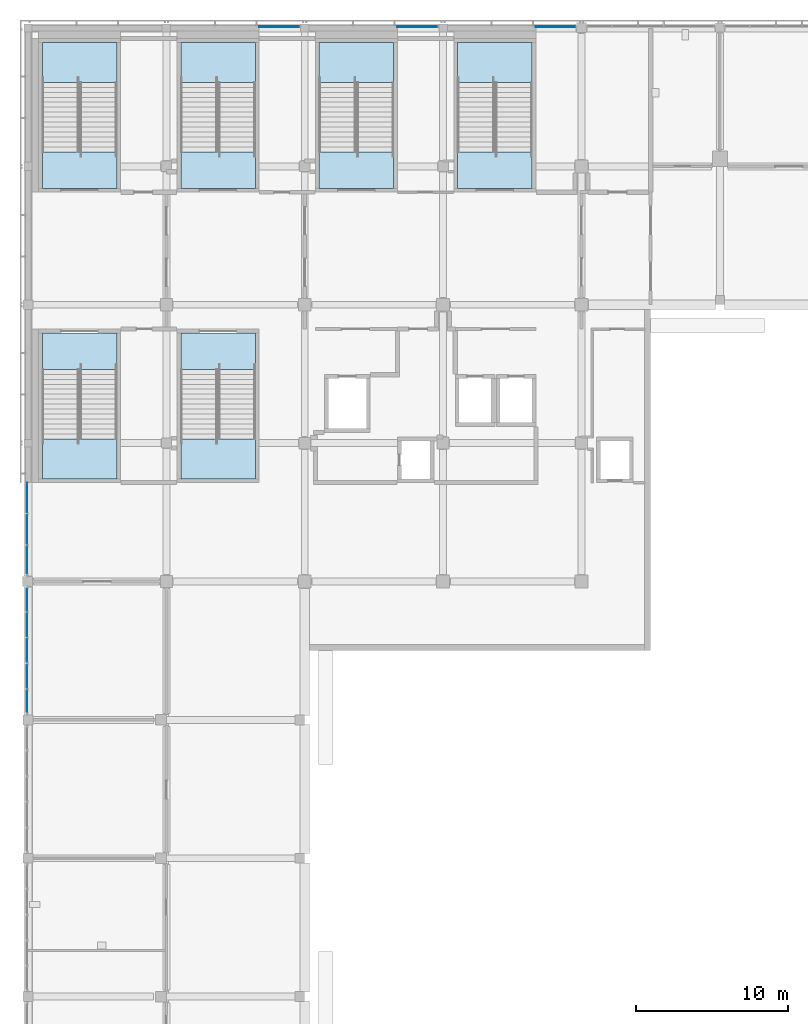
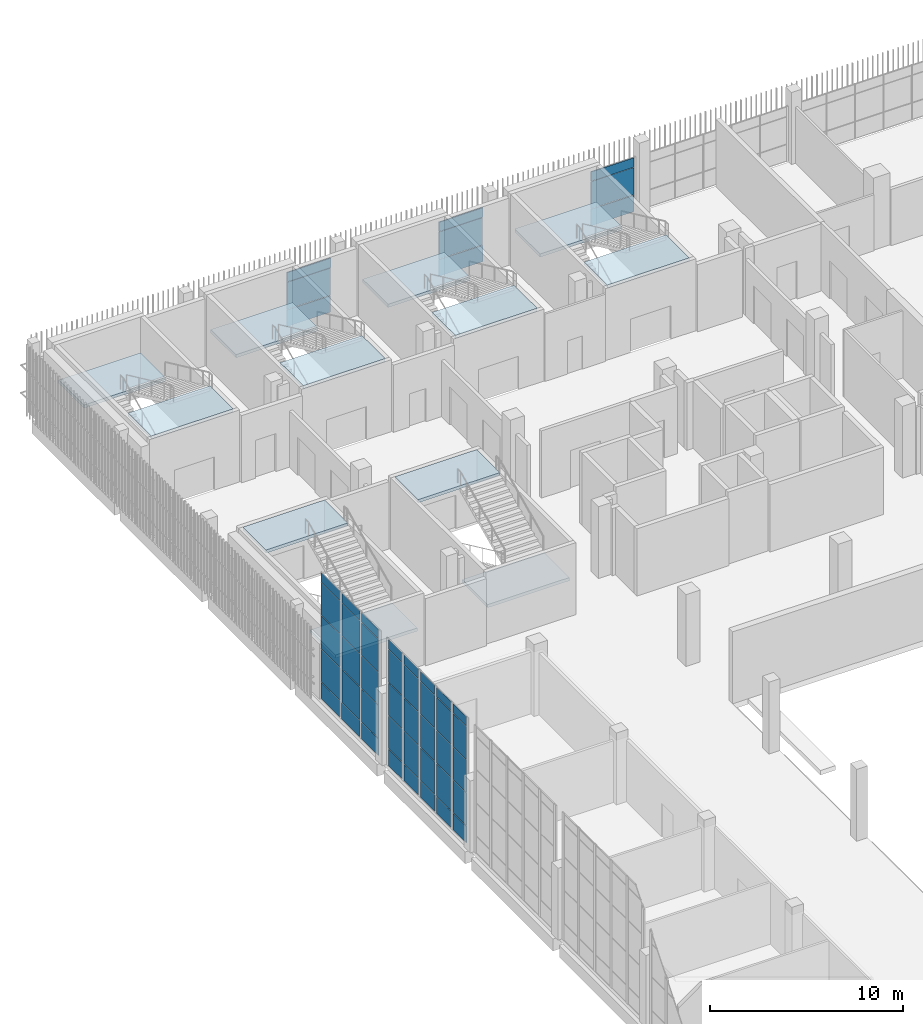
# One storey, part 67 of 126: 49 plates, 12 slabs, 11 elements without a shape of their own.
"""IFC4 building model written with IfcOpenShell, lengths in metres."""

from ifc_helpers import new_model, si_unit, direction, frame, origin, origin_2d, place, context, subcontext, project, spatial, polyline, rectangle, outline, extrude, material, layer, layer_set, type_object, element, aggregate, save


model = new_model("IFC4")

# Units and contexts
model_context = context("Model", 3, precision=1e-05, world=origin(), true_north=direction((0.0, 1.0)))
body_context = subcontext(model_context, "Body", "Model", "MODEL_VIEW")
ifc_project = project(units=[si_unit("LENGTHUNIT", "METRE"), si_unit("AREAUNIT", "SQUARE_METRE"), si_unit("VOLUMEUNIT", "CUBIC_METRE"), si_unit("PLANEANGLEUNIT", "RADIAN"), si_unit("MASSUNIT", "GRAM", prefix="KILO")], contexts=[model_context])

# Site, building, storey
site_placement = place(None, origin())
site = spatial("IfcSite", under=ifc_project, at=site_placement, CompositionType="ELEMENT")
building_placement = place(site_placement, origin())
building = spatial("IfcBuilding", under=site, at=building_placement, Name="Shirokan Park Arena", CompositionType="ELEMENT")
storey_placement = place(building_placement, frame((0.0, 0.0, 6.3701171875)))
storey = spatial("IfcBuildingStorey", under=building, at=storey_placement, Name="L01", CompositionType="ELEMENT", Elevation=6.3701171875)

# Curtain wall, plate
ifc_material_1 = material(Name="Steel and glass curtain wall", Category="steel")
ifc_layer_1 = layer(ifc_material_1, 0.1201171875)
ifc_layer_set_1 = layer_set([ifc_layer_1], Name="Steel and glass curtain wall 120 mm")
curtain_wall_type_1 = type_object("IfcCurtainWallType", Name="Curtain wall corner block side bay 120", PredefinedType="NOTDEFINED", material=ifc_layer_set_1)
curtain_wall_1_placement = place(storey_placement, origin())
curtain_wall_1 = element("IfcCurtainWall", 1, at=curtain_wall_1_placement, inside=storey, type_object=curtain_wall_type_1, Name="Curtain wall north bay 13 L01", PredefinedType="NOTDEFINED")
ifc_material_2 = material(Name="Aluminium sheet", Category="aluminium")
ifc_layer_2 = layer(ifc_material_2, 0.0029296875, Name="Aluminium sheet")
ifc_material_3 = material(Name="Mineral wool insulation")
ifc_layer_3 = layer(ifc_material_3, 0.053955078125, Name="Mineral wool insulation")
ifc_layer_4 = layer(ifc_material_2, 0.0029296875, Name="Aluminium sheet")
ifc_layer_set_2 = layer_set([ifc_layer_2, ifc_layer_3, ifc_layer_4], Name="Aluminium sheet + Mineral wool insulation")
plate_type_1 = type_object("IfcPlateType", Name="Insulated spandrel panel 60", PredefinedType="CURTAIN_PANEL", material=ifc_layer_set_2)
plate_1_placement = place(storey_placement, frame((34.6875, 109.2900390625, 2.86962890625), z_axis=(0.0, 0.0, 1.0), x_axis=(-1.0, 0.0, 0.0)))
plate_1 = element("IfcPlate", 2, at=plate_1_placement, type_object=plate_type_1, Name="CW3 panel 1.3", PredefinedType="CURTAIN_PANEL", context=body_context, shape_type="SweptSolid", body=[
    extrude(rectangle(XDim=2.574951171875, YDim=0.06005859375, at=origin_2d()), origin(), (0.0, 0.0, 1.0), 0.590087890625),
])

curtain_wall_2_placement = place(storey_placement, origin())
curtain_wall_2 = element("IfcCurtainWall", 3, at=curtain_wall_2_placement, inside=storey, type_object=curtain_wall_type_1, Name="Curtain wall north bay 14 L01", PredefinedType="NOTDEFINED")
plate_2_placement = place(storey_placement, frame((25.612548828125, 109.2900390625, 2.86962890625), z_axis=(0.0, 0.0, 1.0), x_axis=(-1.0, 0.0, 0.0)))
plate_2 = element("IfcPlate", 4, at=plate_2_placement, type_object=plate_type_1, Name="CW3 panel 1.3", PredefinedType="CURTAIN_PANEL", context=body_context, shape_type="SweptSolid", body=[
    extrude(rectangle(XDim=2.625, YDim=0.06005859375, at=origin_2d()), origin(), (0.0, 0.0, 1.0), 0.590087890625),
])

curtain_wall_3_placement = place(storey_placement, origin())
curtain_wall_3 = element("IfcCurtainWall", 5, at=curtain_wall_3_placement, inside=storey, type_object=curtain_wall_type_1, Name="Curtain wall north bay 15 L01", PredefinedType="NOTDEFINED")
plate_3_placement = place(storey_placement, frame((16.512451171875, 109.2900390625, 2.86962890625), z_axis=(0.0, 0.0, 1.0), x_axis=(-1.0, 0.0, 0.0)))
plate_3 = element("IfcPlate", 6, at=plate_3_placement, type_object=plate_type_1, Name="CW3 panel 1.3", PredefinedType="CURTAIN_PANEL", context=body_context, shape_type="SweptSolid", body=[
    extrude(rectangle(XDim=2.625, YDim=0.06005859375, at=origin_2d()), origin(), (0.0, 0.0, 1.0), 0.590087890625),
])

# Plate
ifc_material_4 = material(Name="Toughened glass", Category="glass")
ifc_layer_5 = layer(ifc_material_4, 0.012939453125, Name="Toughened glass")
ifc_material_5 = material(Name="Interlayer film")
ifc_layer_6 = layer(ifc_material_5, 0.001953125, Name="Interlayer film")
ifc_layer_7 = layer(ifc_material_4, 0.012939453125, Name="Toughened glass")
ifc_layer_set_3 = layer_set([ifc_layer_5, ifc_layer_6, ifc_layer_7], Name="Toughened glass + Interlayer film")
plate_type_2 = type_object("IfcPlateType", Name="Laminated glass panel 28", PredefinedType="CURTAIN_PANEL", material=ifc_layer_set_3)
plate_4_placement = place(storey_placement, frame((34.6875, 109.2900390625, 1.119873046875), z_axis=(0.0, 0.0, 1.0), x_axis=(-1.0, 0.0, 0.0)))
plate_4 = element("IfcPlate", 7, at=plate_4_placement, type_object=plate_type_2, Name="CW3 panel 1.2", PredefinedType="CURTAIN_PANEL", context=body_context, shape_type="SweptSolid", body=[
    extrude(rectangle(XDim=2.574951171875, YDim=0.028076171875, at=origin_2d()), origin(), (0.0, 0.0, 1.0), 1.7099609375),
])

plate_5_placement = place(storey_placement, frame((25.612548828125, 109.2900390625, 1.119873046875), z_axis=(0.0, 0.0, 1.0), x_axis=(-1.0, 0.0, 0.0)))
plate_5 = element("IfcPlate", 8, at=plate_5_placement, type_object=plate_type_2, Name="CW3 panel 1.2", PredefinedType="CURTAIN_PANEL", context=body_context, shape_type="SweptSolid", body=[
    extrude(rectangle(XDim=2.625, YDim=0.028076171875, at=origin_2d()), origin(), (0.0, 0.0, 1.0), 1.7099609375),
])

plate_6_placement = place(storey_placement, frame((16.512451171875, 109.2900390625, 1.119873046875), z_axis=(0.0, 0.0, 1.0), x_axis=(-1.0, 0.0, 0.0)))
plate_6 = element("IfcPlate", 9, at=plate_6_placement, type_object=plate_type_2, Name="CW3 panel 1.2", PredefinedType="CURTAIN_PANEL", context=body_context, shape_type="SweptSolid", body=[
    extrude(rectangle(XDim=2.625, YDim=0.028076171875, at=origin_2d()), origin(), (0.0, 0.0, 1.0), 1.7099609375),
])

# Curtain wall, plates
ifc_layer_8 = layer(ifc_material_1, 0.199951171875)
ifc_layer_set_4 = layer_set([ifc_layer_8], Name="Steel and glass curtain wall 200 mm")
curtain_wall_type_2 = type_object("IfcCurtainWallType", Name="Curtain wall hall bay 200", PredefinedType="NOTDEFINED", material=ifc_layer_set_4)
curtain_wall_4_placement = place(storey_placement, origin())
curtain_wall_4 = element("IfcCurtainWall", 10, at=curtain_wall_4_placement, inside=storey, type_object=curtain_wall_type_2, Name="Curtain wall west bay 4 L01", PredefinedType="NOTDEFINED")
plate_7_placement = place(storey_placement, frame((-0.050048828125, 78.32080078125, 1.119873046875), z_axis=(0.0, 0.0, 1.0), x_axis=(0.0, -1.0, 0.0)))
plate_7 = element("IfcPlate", 11, at=plate_7_placement, type_object=plate_type_2, Name="CW5 panel 1.2", PredefinedType="CURTAIN_PANEL", context=body_context, shape_type="SweptSolid", body=[
    extrude(rectangle(XDim=1.958251953125, YDim=0.028076171875, at=origin_2d()), origin(), (0.0, 0.0, 1.0), 2.06005859375),
])
plate_8_placement = place(storey_placement, frame((-0.050048828125, 78.32080078125, 3.219970703125), z_axis=(0.0, 0.0, 1.0), x_axis=(0.0, -1.0, 0.0)))
plate_8 = element("IfcPlate", 12, at=plate_8_placement, type_object=plate_type_2, Name="CW5 panel 1.3", PredefinedType="CURTAIN_PANEL", context=body_context, shape_type="SweptSolid", body=[
    extrude(rectangle(XDim=1.958251953125, YDim=0.028076171875, at=origin_2d()), origin(), (0.0, 0.0, 1.0), 2.06005859375),
])
plate_9_placement = place(storey_placement, frame((-0.050048828125, 78.32080078125, 5.31982421875), z_axis=(0.0, 0.0, 1.0), x_axis=(0.0, -1.0, 0.0)))
plate_9 = element("IfcPlate", 13, at=plate_9_placement, type_object=plate_type_2, Name="CW5 panel 1.4", PredefinedType="CURTAIN_PANEL", context=body_context, shape_type="SweptSolid", body=[
    extrude(rectangle(XDim=1.958251953125, YDim=0.028076171875, at=origin_2d()), origin(), (0.0, 0.0, 1.0), 2.06005859375),
])
plate_10_placement = place(storey_placement, frame((-0.050048828125, 78.32080078125, 7.419921875), z_axis=(0.0, 0.0, 1.0), x_axis=(0.0, -1.0, 0.0)))
plate_10 = element("IfcPlate", 14, at=plate_10_placement, type_object=plate_type_2, Name="CW5 panel 1.5", PredefinedType="CURTAIN_PANEL", context=body_context, shape_type="SweptSolid", body=[
    extrude(rectangle(XDim=1.958251953125, YDim=0.028076171875, at=origin_2d()), origin(), (0.0, 0.0, 1.0), 0.590087890625),
])
plate_11_placement = place(storey_placement, frame((-0.050048828125, 76.21240234375, 1.119873046875), z_axis=(0.0, 0.0, 1.0), x_axis=(0.0, -1.0, 0.0)))
plate_11 = element("IfcPlate", 15, at=plate_11_placement, type_object=plate_type_2, Name="CW5 panel 2.2", PredefinedType="CURTAIN_PANEL", context=body_context, shape_type="SweptSolid", body=[
    extrude(rectangle(XDim=1.8583984375, YDim=0.028076171875, at=origin_2d()), origin(), (0.0, 0.0, 1.0), 2.06005859375),
])
plate_12_placement = place(storey_placement, frame((-0.050048828125, 76.21240234375, 3.219970703125), z_axis=(0.0, 0.0, 1.0), x_axis=(0.0, -1.0, 0.0)))
plate_12 = element("IfcPlate", 16, at=plate_12_placement, type_object=plate_type_2, Name="CW5 panel 2.3", PredefinedType="CURTAIN_PANEL", context=body_context, shape_type="SweptSolid", body=[
    extrude(rectangle(XDim=1.8583984375, YDim=0.028076171875, at=origin_2d()), origin(), (0.0, 0.0, 1.0), 2.06005859375),
])
plate_13_placement = place(storey_placement, frame((-0.050048828125, 76.21240234375, 5.31982421875), z_axis=(0.0, 0.0, 1.0), x_axis=(0.0, -1.0, 0.0)))
plate_13 = element("IfcPlate", 17, at=plate_13_placement, type_object=plate_type_2, Name="CW5 panel 2.4", PredefinedType="CURTAIN_PANEL", context=body_context, shape_type="SweptSolid", body=[
    extrude(rectangle(XDim=1.8583984375, YDim=0.028076171875, at=origin_2d()), origin(), (0.0, 0.0, 1.0), 2.06005859375),
])
plate_14_placement = place(storey_placement, frame((-0.050048828125, 76.21240234375, 7.419921875), z_axis=(0.0, 0.0, 1.0), x_axis=(0.0, -1.0, 0.0)))
plate_14 = element("IfcPlate", 18, at=plate_14_placement, type_object=plate_type_2, Name="CW5 panel 2.5", PredefinedType="CURTAIN_PANEL", context=body_context, shape_type="SweptSolid", body=[
    extrude(rectangle(XDim=1.8583984375, YDim=0.028076171875, at=origin_2d()), origin(), (0.0, 0.0, 1.0), 0.590087890625),
])
plate_15_placement = place(storey_placement, frame((-0.050048828125, 74.2041015625, 1.119873046875), z_axis=(0.0, 0.0, 1.0), x_axis=(0.0, -1.0, 0.0)))
plate_15 = element("IfcPlate", 19, at=plate_15_placement, type_object=plate_type_2, Name="CW5 panel 3.2", PredefinedType="CURTAIN_PANEL", context=body_context, shape_type="SweptSolid", body=[
    extrude(rectangle(XDim=1.75830078125, YDim=0.028076171875, at=origin_2d()), origin(), (0.0, 0.0, 1.0), 2.06005859375),
])
plate_16_placement = place(storey_placement, frame((-0.050048828125, 74.2041015625, 3.219970703125), z_axis=(0.0, 0.0, 1.0), x_axis=(0.0, -1.0, 0.0)))
plate_16 = element("IfcPlate", 20, at=plate_16_placement, type_object=plate_type_2, Name="CW5 panel 3.3", PredefinedType="CURTAIN_PANEL", context=body_context, shape_type="SweptSolid", body=[
    extrude(rectangle(XDim=1.75830078125, YDim=0.028076171875, at=origin_2d()), origin(), (0.0, 0.0, 1.0), 2.06005859375),
])
plate_17_placement = place(storey_placement, frame((-0.050048828125, 74.2041015625, 5.31982421875), z_axis=(0.0, 0.0, 1.0), x_axis=(0.0, -1.0, 0.0)))
plate_17 = element("IfcPlate", 21, at=plate_17_placement, type_object=plate_type_2, Name="CW5 panel 3.4", PredefinedType="CURTAIN_PANEL", context=body_context, shape_type="SweptSolid", body=[
    extrude(rectangle(XDim=1.75830078125, YDim=0.028076171875, at=origin_2d()), origin(), (0.0, 0.0, 1.0), 2.06005859375),
])
plate_18_placement = place(storey_placement, frame((-0.050048828125, 74.2041015625, 7.419921875), z_axis=(0.0, 0.0, 1.0), x_axis=(0.0, -1.0, 0.0)))
plate_18 = element("IfcPlate", 22, at=plate_18_placement, type_object=plate_type_2, Name="CW5 panel 3.5", PredefinedType="CURTAIN_PANEL", context=body_context, shape_type="SweptSolid", body=[
    extrude(rectangle(XDim=1.75830078125, YDim=0.028076171875, at=origin_2d()), origin(), (0.0, 0.0, 1.0), 0.590087890625),
])

curtain_wall_5_placement = place(storey_placement, origin())
curtain_wall_5 = element("IfcCurtainWall", 23, at=curtain_wall_5_placement, inside=storey, type_object=curtain_wall_type_2, Name="Curtain wall west bay 5 L01", PredefinedType="NOTDEFINED")
plate_19_placement = place(storey_placement, frame((-0.050048828125, 71.580078125, 1.119873046875), z_axis=(0.0, 0.0, 1.0), x_axis=(0.0, -1.0, 0.0)))
plate_19 = element("IfcPlate", 24, at=plate_19_placement, type_object=plate_type_2, Name="CW5 panel 1.2", PredefinedType="CURTAIN_PANEL", context=body_context, shape_type="SweptSolid", body=[
    extrude(rectangle(XDim=1.389892578125, YDim=0.028076171875, at=origin_2d()), origin(), (0.0, 0.0, 1.0), 2.06005859375),
])
plate_20_placement = place(storey_placement, frame((-0.050048828125, 71.580078125, 3.219970703125), z_axis=(0.0, 0.0, 1.0), x_axis=(0.0, -1.0, 0.0)))
plate_20 = element("IfcPlate", 25, at=plate_20_placement, type_object=plate_type_2, Name="CW5 panel 1.3", PredefinedType="CURTAIN_PANEL", context=body_context, shape_type="SweptSolid", body=[
    extrude(rectangle(XDim=1.389892578125, YDim=0.028076171875, at=origin_2d()), origin(), (0.0, 0.0, 1.0), 2.06005859375),
])
plate_21_placement = place(storey_placement, frame((-0.050048828125, 71.580078125, 5.31982421875), z_axis=(0.0, 0.0, 1.0), x_axis=(0.0, -1.0, 0.0)))
plate_21 = element("IfcPlate", 26, at=plate_21_placement, type_object=plate_type_2, Name="CW5 panel 1.4", PredefinedType="CURTAIN_PANEL", context=body_context, shape_type="SweptSolid", body=[
    extrude(rectangle(XDim=1.389892578125, YDim=0.028076171875, at=origin_2d()), origin(), (0.0, 0.0, 1.0), 2.06005859375),
])
plate_22_placement = place(storey_placement, frame((-0.050048828125, 71.580078125, 7.419921875), z_axis=(0.0, 0.0, 1.0), x_axis=(0.0, -1.0, 0.0)))
plate_22 = element("IfcPlate", 27, at=plate_22_placement, type_object=plate_type_2, Name="CW5 panel 1.5", PredefinedType="CURTAIN_PANEL", context=body_context, shape_type="SweptSolid", body=[
    extrude(rectangle(XDim=1.389892578125, YDim=0.028076171875, at=origin_2d()), origin(), (0.0, 0.0, 1.0), 0.590087890625),
])
plate_23_placement = place(storey_placement, frame((-0.050048828125, 69.93994140625, 1.119873046875), z_axis=(0.0, 0.0, 1.0), x_axis=(0.0, -1.0, 0.0)))
plate_23 = element("IfcPlate", 28, at=plate_23_placement, type_object=plate_type_2, Name="CW5 panel 2.2", PredefinedType="CURTAIN_PANEL", context=body_context, shape_type="SweptSolid", body=[
    extrude(rectangle(XDim=1.489990234375, YDim=0.028076171875, at=origin_2d()), origin(), (0.0, 0.0, 1.0), 2.06005859375),
])
plate_24_placement = place(storey_placement, frame((-0.050048828125, 69.93994140625, 3.219970703125), z_axis=(0.0, 0.0, 1.0), x_axis=(0.0, -1.0, 0.0)))
plate_24 = element("IfcPlate", 29, at=plate_24_placement, type_object=plate_type_2, Name="CW5 panel 2.3", PredefinedType="CURTAIN_PANEL", context=body_context, shape_type="SweptSolid", body=[
    extrude(rectangle(XDim=1.489990234375, YDim=0.028076171875, at=origin_2d()), origin(), (0.0, 0.0, 1.0), 2.06005859375),
])
plate_25_placement = place(storey_placement, frame((-0.050048828125, 69.93994140625, 5.31982421875), z_axis=(0.0, 0.0, 1.0), x_axis=(0.0, -1.0, 0.0)))
plate_25 = element("IfcPlate", 30, at=plate_25_placement, type_object=plate_type_2, Name="CW5 panel 2.4", PredefinedType="CURTAIN_PANEL", context=body_context, shape_type="SweptSolid", body=[
    extrude(rectangle(XDim=1.489990234375, YDim=0.028076171875, at=origin_2d()), origin(), (0.0, 0.0, 1.0), 2.06005859375),
])
plate_26_placement = place(storey_placement, frame((-0.050048828125, 69.93994140625, 7.419921875), z_axis=(0.0, 0.0, 1.0), x_axis=(0.0, -1.0, 0.0)))
plate_26 = element("IfcPlate", 31, at=plate_26_placement, type_object=plate_type_2, Name="CW5 panel 2.5", PredefinedType="CURTAIN_PANEL", context=body_context, shape_type="SweptSolid", body=[
    extrude(rectangle(XDim=1.489990234375, YDim=0.028076171875, at=origin_2d()), origin(), (0.0, 0.0, 1.0), 0.590087890625),
])
plate_27_placement = place(storey_placement, frame((-0.050048828125, 68.25, 1.119873046875), z_axis=(0.0, 0.0, 1.0), x_axis=(0.0, -1.0, 0.0)))
plate_27 = element("IfcPlate", 32, at=plate_27_placement, type_object=plate_type_2, Name="CW5 panel 3.2", PredefinedType="CURTAIN_PANEL", context=body_context, shape_type="SweptSolid", body=[
    extrude(rectangle(XDim=1.489990234375, YDim=0.028076171875, at=origin_2d()), origin(), (0.0, 0.0, 1.0), 2.06005859375),
])
plate_28_placement = place(storey_placement, frame((-0.050048828125, 68.25, 3.219970703125), z_axis=(0.0, 0.0, 1.0), x_axis=(0.0, -1.0, 0.0)))
plate_28 = element("IfcPlate", 33, at=plate_28_placement, type_object=plate_type_2, Name="CW5 panel 3.3", PredefinedType="CURTAIN_PANEL", context=body_context, shape_type="SweptSolid", body=[
    extrude(rectangle(XDim=1.489990234375, YDim=0.028076171875, at=origin_2d()), origin(), (0.0, 0.0, 1.0), 2.06005859375),
])
plate_29_placement = place(storey_placement, frame((-0.050048828125, 68.25, 5.31982421875), z_axis=(0.0, 0.0, 1.0), x_axis=(0.0, -1.0, 0.0)))
plate_29 = element("IfcPlate", 34, at=plate_29_placement, type_object=plate_type_2, Name="CW5 panel 3.4", PredefinedType="CURTAIN_PANEL", context=body_context, shape_type="SweptSolid", body=[
    extrude(rectangle(XDim=1.489990234375, YDim=0.028076171875, at=origin_2d()), origin(), (0.0, 0.0, 1.0), 2.06005859375),
])
plate_30_placement = place(storey_placement, frame((-0.050048828125, 68.25, 7.419921875), z_axis=(0.0, 0.0, 1.0), x_axis=(0.0, -1.0, 0.0)))
plate_30 = element("IfcPlate", 35, at=plate_30_placement, type_object=plate_type_2, Name="CW5 panel 3.5", PredefinedType="CURTAIN_PANEL", context=body_context, shape_type="SweptSolid", body=[
    extrude(rectangle(XDim=1.489990234375, YDim=0.028076171875, at=origin_2d()), origin(), (0.0, 0.0, 1.0), 0.590087890625),
])
plate_31_placement = place(storey_placement, frame((-0.050048828125, 66.56005859375, 1.119873046875), z_axis=(0.0, 0.0, 1.0), x_axis=(0.0, -1.0, 0.0)))
plate_31 = element("IfcPlate", 36, at=plate_31_placement, type_object=plate_type_2, Name="CW5 panel 4.2", PredefinedType="CURTAIN_PANEL", context=body_context, shape_type="SweptSolid", body=[
    extrude(rectangle(XDim=1.489990234375, YDim=0.028076171875, at=origin_2d()), origin(), (0.0, 0.0, 1.0), 2.06005859375),
])
plate_32_placement = place(storey_placement, frame((-0.050048828125, 66.56005859375, 3.219970703125), z_axis=(0.0, 0.0, 1.0), x_axis=(0.0, -1.0, 0.0)))
plate_32 = element("IfcPlate", 37, at=plate_32_placement, type_object=plate_type_2, Name="CW5 panel 4.3", PredefinedType="CURTAIN_PANEL", context=body_context, shape_type="SweptSolid", body=[
    extrude(rectangle(XDim=1.489990234375, YDim=0.028076171875, at=origin_2d()), origin(), (0.0, 0.0, 1.0), 2.06005859375),
])
plate_33_placement = place(storey_placement, frame((-0.050048828125, 66.56005859375, 5.31982421875), z_axis=(0.0, 0.0, 1.0), x_axis=(0.0, -1.0, 0.0)))
plate_33 = element("IfcPlate", 38, at=plate_33_placement, type_object=plate_type_2, Name="CW5 panel 4.4", PredefinedType="CURTAIN_PANEL", context=body_context, shape_type="SweptSolid", body=[
    extrude(rectangle(XDim=1.489990234375, YDim=0.028076171875, at=origin_2d()), origin(), (0.0, 0.0, 1.0), 2.06005859375),
])
plate_34_placement = place(storey_placement, frame((-0.050048828125, 66.56005859375, 7.419921875), z_axis=(0.0, 0.0, 1.0), x_axis=(0.0, -1.0, 0.0)))
plate_34 = element("IfcPlate", 39, at=plate_34_placement, type_object=plate_type_2, Name="CW5 panel 4.5", PredefinedType="CURTAIN_PANEL", context=body_context, shape_type="SweptSolid", body=[
    extrude(rectangle(XDim=1.489990234375, YDim=0.028076171875, at=origin_2d()), origin(), (0.0, 0.0, 1.0), 0.590087890625),
])
plate_35_placement = place(storey_placement, frame((-0.050048828125, 64.919921875, 1.119873046875), z_axis=(0.0, 0.0, 1.0), x_axis=(0.0, -1.0, 0.0)))
plate_35 = element("IfcPlate", 40, at=plate_35_placement, type_object=plate_type_2, Name="CW5 panel 5.2", PredefinedType="CURTAIN_PANEL", context=body_context, shape_type="SweptSolid", body=[
    extrude(rectangle(XDim=1.389892578125, YDim=0.028076171875, at=origin_2d()), origin(), (0.0, 0.0, 1.0), 2.06005859375),
])
plate_36_placement = place(storey_placement, frame((-0.050048828125, 64.919921875, 3.219970703125), z_axis=(0.0, 0.0, 1.0), x_axis=(0.0, -1.0, 0.0)))
plate_36 = element("IfcPlate", 41, at=plate_36_placement, type_object=plate_type_2, Name="CW5 panel 5.3", PredefinedType="CURTAIN_PANEL", context=body_context, shape_type="SweptSolid", body=[
    extrude(rectangle(XDim=1.389892578125, YDim=0.028076171875, at=origin_2d()), origin(), (0.0, 0.0, 1.0), 2.06005859375),
])
plate_37_placement = place(storey_placement, frame((-0.050048828125, 64.919921875, 5.31982421875), z_axis=(0.0, 0.0, 1.0), x_axis=(0.0, -1.0, 0.0)))
plate_37 = element("IfcPlate", 42, at=plate_37_placement, type_object=plate_type_2, Name="CW5 panel 5.4", PredefinedType="CURTAIN_PANEL", context=body_context, shape_type="SweptSolid", body=[
    extrude(rectangle(XDim=1.389892578125, YDim=0.028076171875, at=origin_2d()), origin(), (0.0, 0.0, 1.0), 2.06005859375),
])
plate_38_placement = place(storey_placement, frame((-0.050048828125, 64.919921875, 7.419921875), z_axis=(0.0, 0.0, 1.0), x_axis=(0.0, -1.0, 0.0)))
plate_38 = element("IfcPlate", 43, at=plate_38_placement, type_object=plate_type_2, Name="CW5 panel 5.5", PredefinedType="CURTAIN_PANEL", context=body_context, shape_type="SweptSolid", body=[
    extrude(rectangle(XDim=1.389892578125, YDim=0.028076171875, at=origin_2d()), origin(), (0.0, 0.0, 1.0), 0.590087890625),
])

# Plate
ifc_layer_9 = layer(ifc_material_4, 0.01708984375, Name="Toughened glass")
ifc_layer_10 = layer(ifc_material_5, 0.001953125, Name="Interlayer film")
ifc_layer_11 = layer(ifc_material_4, 0.01708984375, Name="Toughened glass")
ifc_layer_set_5 = layer_set([ifc_layer_9, ifc_layer_10, ifc_layer_11], Name="Toughened glass + Interlayer film")
plate_type_3 = type_object("IfcPlateType", Name="Laminated safety glass panel 36", PredefinedType="CURTAIN_PANEL", material=ifc_layer_set_5)
plate_39_placement = place(storey_placement, frame((34.6875, 109.2900390625, 0.039794921875), z_axis=(0.0, 0.0, 1.0), x_axis=(-1.0, 0.0, 0.0)))
plate_39 = element("IfcPlate", 44, at=plate_39_placement, type_object=plate_type_3, Name="CW3 panel 1.1", PredefinedType="CURTAIN_PANEL", context=body_context, shape_type="SweptSolid", body=[
    extrude(rectangle(XDim=2.574951171875, YDim=0.035888671875, at=origin_2d()), origin(), (0.0, 0.0, 1.0), 1.0400390625),
])

aggregate(curtain_wall_1, [plate_39, plate_4, plate_1])

plate_40_placement = place(storey_placement, frame((25.612548828125, 109.2900390625, 0.039794921875), z_axis=(0.0, 0.0, 1.0), x_axis=(-1.0, 0.0, 0.0)))
plate_40 = element("IfcPlate", 45, at=plate_40_placement, type_object=plate_type_3, Name="CW3 panel 1.1", PredefinedType="CURTAIN_PANEL", context=body_context, shape_type="SweptSolid", body=[
    extrude(rectangle(XDim=2.625, YDim=0.035888671875, at=origin_2d()), origin(), (0.0, 0.0, 1.0), 1.0400390625),
])

aggregate(curtain_wall_2, [plate_40, plate_5, plate_2])

plate_41_placement = place(storey_placement, frame((16.512451171875, 109.2900390625, 0.039794921875), z_axis=(0.0, 0.0, 1.0), x_axis=(-1.0, 0.0, 0.0)))
plate_41 = element("IfcPlate", 46, at=plate_41_placement, type_object=plate_type_3, Name="CW3 panel 1.1", PredefinedType="CURTAIN_PANEL", context=body_context, shape_type="SweptSolid", body=[
    extrude(rectangle(XDim=2.625, YDim=0.035888671875, at=origin_2d()), origin(), (0.0, 0.0, 1.0), 1.0400390625),
])

aggregate(curtain_wall_3, [plate_41, plate_6, plate_3])

plate_42_placement = place(storey_placement, frame((-0.050048828125, 78.32080078125, 0.039794921875), z_axis=(0.0, 0.0, 1.0), x_axis=(0.0, -1.0, 0.0)))
plate_42 = element("IfcPlate", 47, at=plate_42_placement, type_object=plate_type_3, Name="CW5 panel 1.1", PredefinedType="CURTAIN_PANEL", context=body_context, shape_type="SweptSolid", body=[
    extrude(rectangle(XDim=1.958251953125, YDim=0.035888671875, at=origin_2d()), origin(), (0.0, 0.0, 1.0), 1.0400390625),
])

plate_43_placement = place(storey_placement, frame((-0.050048828125, 76.21240234375, 0.039794921875), z_axis=(0.0, 0.0, 1.0), x_axis=(0.0, -1.0, 0.0)))
plate_43 = element("IfcPlate", 48, at=plate_43_placement, type_object=plate_type_3, Name="CW5 panel 2.1", PredefinedType="CURTAIN_PANEL", context=body_context, shape_type="SweptSolid", body=[
    extrude(rectangle(XDim=1.8583984375, YDim=0.035888671875, at=origin_2d()), origin(), (0.0, 0.0, 1.0), 1.0400390625),
])

plate_44_placement = place(storey_placement, frame((-0.050048828125, 74.2041015625, 0.039794921875), z_axis=(0.0, 0.0, 1.0), x_axis=(0.0, -1.0, 0.0)))
plate_44 = element("IfcPlate", 49, at=plate_44_placement, type_object=plate_type_3, Name="CW5 panel 3.1", PredefinedType="CURTAIN_PANEL", context=body_context, shape_type="SweptSolid", body=[
    extrude(rectangle(XDim=1.75830078125, YDim=0.035888671875, at=origin_2d()), origin(), (0.0, 0.0, 1.0), 1.0400390625),
])

aggregate(curtain_wall_4, [plate_42, plate_7, plate_8, plate_9, plate_10, plate_43, plate_11, plate_12, plate_13, plate_14, plate_44, plate_15, plate_16, plate_17, plate_18])

plate_45_placement = place(storey_placement, frame((-0.050048828125, 71.580078125, 0.039794921875), z_axis=(0.0, 0.0, 1.0), x_axis=(0.0, -1.0, 0.0)))
plate_45 = element("IfcPlate", 50, at=plate_45_placement, type_object=plate_type_3, Name="CW5 panel 1.1", PredefinedType="CURTAIN_PANEL", context=body_context, shape_type="SweptSolid", body=[
    extrude(rectangle(XDim=1.389892578125, YDim=0.035888671875, at=origin_2d()), origin(), (0.0, 0.0, 1.0), 1.0400390625),
])

plate_46_placement = place(storey_placement, frame((-0.050048828125, 69.93994140625, 0.039794921875), z_axis=(0.0, 0.0, 1.0), x_axis=(0.0, -1.0, 0.0)))
plate_46 = element("IfcPlate", 51, at=plate_46_placement, type_object=plate_type_3, Name="CW5 panel 2.1", PredefinedType="CURTAIN_PANEL", context=body_context, shape_type="SweptSolid", body=[
    extrude(rectangle(XDim=1.489990234375, YDim=0.035888671875, at=origin_2d()), origin(), (0.0, 0.0, 1.0), 1.0400390625),
])

plate_47_placement = place(storey_placement, frame((-0.050048828125, 68.25, 0.039794921875), z_axis=(0.0, 0.0, 1.0), x_axis=(0.0, -1.0, 0.0)))
plate_47 = element("IfcPlate", 52, at=plate_47_placement, type_object=plate_type_3, Name="CW5 panel 3.1", PredefinedType="CURTAIN_PANEL", context=body_context, shape_type="SweptSolid", body=[
    extrude(rectangle(XDim=1.489990234375, YDim=0.035888671875, at=origin_2d()), origin(), (0.0, 0.0, 1.0), 1.0400390625),
])

plate_48_placement = place(storey_placement, frame((-0.050048828125, 66.56005859375, 0.039794921875), z_axis=(0.0, 0.0, 1.0), x_axis=(0.0, -1.0, 0.0)))
plate_48 = element("IfcPlate", 53, at=plate_48_placement, type_object=plate_type_3, Name="CW5 panel 4.1", PredefinedType="CURTAIN_PANEL", context=body_context, shape_type="SweptSolid", body=[
    extrude(rectangle(XDim=1.489990234375, YDim=0.035888671875, at=origin_2d()), origin(), (0.0, 0.0, 1.0), 1.0400390625),
])

plate_49_placement = place(storey_placement, frame((-0.050048828125, 64.919921875, 0.039794921875), z_axis=(0.0, 0.0, 1.0), x_axis=(0.0, -1.0, 0.0)))
plate_49 = element("IfcPlate", 54, at=plate_49_placement, type_object=plate_type_3, Name="CW5 panel 5.1", PredefinedType="CURTAIN_PANEL", context=body_context, shape_type="SweptSolid", body=[
    extrude(rectangle(XDim=1.389892578125, YDim=0.035888671875, at=origin_2d()), origin(), (0.0, 0.0, 1.0), 1.0400390625),
])

aggregate(curtain_wall_5, [plate_45, plate_19, plate_20, plate_21, plate_22, plate_46, plate_23, plate_24, plate_25, plate_26, plate_47, plate_27, plate_28, plate_29, plate_30, plate_48, plate_31, plate_32, plate_33, plate_34, plate_49, plate_35, plate_36, plate_37, plate_38])

# Stair, slabs
ifc_material_6 = material(Name="Concrete C30 precast", Category="concrete")
stair_type = type_object("IfcStairType", Name="Stair 30 risers 152 x 327 2400 wide", PredefinedType="TWO_STRAIGHT_RUN_STAIR", material=ifc_material_6)
stair_1_placement = place(storey_placement, origin())
stair_1 = element("IfcStair", 55, at=stair_1_placement, inside=storey, type_object=stair_type, Name="Exit Stair 4.A L01 to L02", PredefinedType="TWO_STRAIGHT_RUN_STAIR")
ifc_layer_12 = layer(ifc_material_6, 0.199951171875)
ifc_layer_set_6 = layer_set([ifc_layer_12], Name="Concrete C30 precast 200 mm")
slab_type = type_object("IfcSlabType", Name="Stair landing 200", PredefinedType="LANDING", material=ifc_layer_set_6)
slab_1_placement = place(storey_placement, frame((0.0, 0.0, 2.074951171875)))
slab_1 = element("IfcSlab", 56, at=slab_1_placement, type_object=slab_type, Name="ST10.2 landing 1", PredefinedType="LANDING", context=body_context, shape_type="SweptSolid", body=[
    extrude(outline(polyline([(0.949951171875, 105.623779296875), (5.85009765625, 105.623779296875), (5.85009765625, 108.25), (0.949951171875, 108.25), (0.949951171875, 105.623779296875)])), origin(), (0.0, 0.0, 1.0), 0.199951171875),
])
slab_2_placement = place(storey_placement, frame((0.0, 0.0, 4.349853515625)))
slab_2 = element("IfcSlab", 57, at=slab_2_placement, type_object=slab_type, Name="ST10.2 landing 2", PredefinedType="LANDING", context=body_context, shape_type="SweptSolid", body=[
    extrude(outline(polyline([(0.949951171875, 98.64990234375), (5.85009765625, 98.64990234375), (5.85009765625, 101.050048828125), (0.949951171875, 101.050048828125), (0.949951171875, 98.64990234375)])), origin(), (0.0, 0.0, 1.0), 0.199951171875),
])
aggregate(stair_1, [slab_1, slab_2])

stair_2_placement = place(storey_placement, origin())
stair_2 = element("IfcStair", 58, at=stair_2_placement, inside=storey, type_object=stair_type, Name="Exit Stair 4.B L01 to L02", PredefinedType="TWO_STRAIGHT_RUN_STAIR")
slab_3_placement = place(storey_placement, frame((0.0, 0.0, 2.074951171875)))
slab_3 = element("IfcSlab", 59, at=slab_3_placement, type_object=slab_type, Name="ST11.2 landing 1", PredefinedType="LANDING", context=body_context, shape_type="SweptSolid", body=[
    extrude(outline(polyline([(10.050048828125, 105.623779296875), (14.949951171875, 105.623779296875), (14.949951171875, 108.25), (10.050048828125, 108.25), (10.050048828125, 105.623779296875)])), origin(), (0.0, 0.0, 1.0), 0.199951171875),
])
slab_4_placement = place(storey_placement, frame((0.0, 0.0, 4.349853515625)))
slab_4 = element("IfcSlab", 60, at=slab_4_placement, type_object=slab_type, Name="ST11.2 landing 2", PredefinedType="LANDING", context=body_context, shape_type="SweptSolid", body=[
    extrude(outline(polyline([(10.050048828125, 98.64990234375), (14.949951171875, 98.64990234375), (14.949951171875, 101.050048828125), (10.050048828125, 101.050048828125), (10.050048828125, 98.64990234375)])), origin(), (0.0, 0.0, 1.0), 0.199951171875),
])
aggregate(stair_2, [slab_3, slab_4])

stair_3_placement = place(storey_placement, origin())
stair_3 = element("IfcStair", 61, at=stair_3_placement, inside=storey, type_object=stair_type, Name="Exit Stair 4.C L01 to L02", PredefinedType="TWO_STRAIGHT_RUN_STAIR")
slab_5_placement = place(storey_placement, frame((0.0, 0.0, 2.074951171875)))
slab_5 = element("IfcSlab", 62, at=slab_5_placement, type_object=slab_type, Name="ST12.2 landing 1", PredefinedType="LANDING", context=body_context, shape_type="SweptSolid", body=[
    extrude(outline(polyline([(19.14990234375, 105.623779296875), (24.050048828125, 105.623779296875), (24.050048828125, 108.25), (19.14990234375, 108.25), (19.14990234375, 105.623779296875)])), origin(), (0.0, 0.0, 1.0), 0.199951171875),
])
slab_6_placement = place(storey_placement, frame((0.0, 0.0, 4.349853515625)))
slab_6 = element("IfcSlab", 63, at=slab_6_placement, type_object=slab_type, Name="ST12.2 landing 2", PredefinedType="LANDING", context=body_context, shape_type="SweptSolid", body=[
    extrude(outline(polyline([(19.14990234375, 98.64990234375), (24.050048828125, 98.64990234375), (24.050048828125, 101.050048828125), (19.14990234375, 101.050048828125), (19.14990234375, 98.64990234375)])), origin(), (0.0, 0.0, 1.0), 0.199951171875),
])
aggregate(stair_3, [slab_5, slab_6])

stair_4_placement = place(storey_placement, origin())
stair_4 = element("IfcStair", 64, at=stair_4_placement, inside=storey, type_object=stair_type, Name="Exit Stair 4.D L01 to L02", PredefinedType="TWO_STRAIGHT_RUN_STAIR")
slab_7_placement = place(storey_placement, frame((0.0, 0.0, 2.074951171875)))
slab_7 = element("IfcSlab", 65, at=slab_7_placement, type_object=slab_type, Name="ST13.2 landing 1", PredefinedType="LANDING", context=body_context, shape_type="SweptSolid", body=[
    extrude(outline(polyline([(28.25, 105.623779296875), (33.14990234375, 105.623779296875), (33.14990234375, 108.25), (28.25, 108.25), (28.25, 105.623779296875)])), origin(), (0.0, 0.0, 1.0), 0.199951171875),
])
slab_8_placement = place(storey_placement, frame((0.0, 0.0, 4.349853515625)))
slab_8 = element("IfcSlab", 66, at=slab_8_placement, type_object=slab_type, Name="ST13.2 landing 2", PredefinedType="LANDING", context=body_context, shape_type="SweptSolid", body=[
    extrude(outline(polyline([(28.25, 98.64990234375), (33.14990234375, 98.64990234375), (33.14990234375, 101.050048828125), (28.25, 101.050048828125), (28.25, 98.64990234375)])), origin(), (0.0, 0.0, 1.0), 0.199951171875),
])
aggregate(stair_4, [slab_7, slab_8])

stair_5_placement = place(storey_placement, origin())
stair_5 = element("IfcStair", 67, at=stair_5_placement, inside=storey, type_object=stair_type, Name="Exit Stair 4.E L01 to L02", PredefinedType="TWO_STRAIGHT_RUN_STAIR")
slab_9_placement = place(storey_placement, frame((0.0, 0.0, 2.074951171875)))
slab_9 = element("IfcSlab", 68, at=slab_9_placement, type_object=slab_type, Name="ST14.2 landing 1", PredefinedType="LANDING", context=body_context, shape_type="SweptSolid", body=[
    extrude(outline(polyline([(0.949951171875, 79.550048828125), (5.85009765625, 79.550048828125), (5.85009765625, 82.17626953125), (0.949951171875, 82.17626953125), (0.949951171875, 79.550048828125)])), origin(), (0.0, 0.0, 1.0), 0.199951171875),
])
slab_10_placement = place(storey_placement, frame((0.0, 0.0, 4.349853515625)))
slab_10 = element("IfcSlab", 69, at=slab_10_placement, type_object=slab_type, Name="ST14.2 landing 2", PredefinedType="LANDING", context=body_context, shape_type="SweptSolid", body=[
    extrude(outline(polyline([(0.949951171875, 86.75), (5.85009765625, 86.75), (5.85009765625, 89.14990234375), (0.949951171875, 89.14990234375), (0.949951171875, 86.75)])), origin(), (0.0, 0.0, 1.0), 0.199951171875),
])
aggregate(stair_5, [slab_9, slab_10])

stair_6_placement = place(storey_placement, origin())
stair_6 = element("IfcStair", 70, at=stair_6_placement, inside=storey, type_object=stair_type, Name="Exit Stair 4.F L01 to L02", PredefinedType="TWO_STRAIGHT_RUN_STAIR")
slab_11_placement = place(storey_placement, frame((0.0, 0.0, 2.074951171875)))
slab_11 = element("IfcSlab", 71, at=slab_11_placement, type_object=slab_type, Name="ST15.2 landing 1", PredefinedType="LANDING", context=body_context, shape_type="SweptSolid", body=[
    extrude(outline(polyline([(10.050048828125, 79.550048828125), (14.949951171875, 79.550048828125), (14.949951171875, 82.17626953125), (10.050048828125, 82.17626953125), (10.050048828125, 79.550048828125)])), origin(), (0.0, 0.0, 1.0), 0.199951171875),
])
slab_12_placement = place(storey_placement, frame((0.0, 0.0, 4.349853515625)))
slab_12 = element("IfcSlab", 72, at=slab_12_placement, type_object=slab_type, Name="ST15.2 landing 2", PredefinedType="LANDING", context=body_context, shape_type="SweptSolid", body=[
    extrude(outline(polyline([(10.050048828125, 86.75), (14.949951171875, 86.75), (14.949951171875, 89.14990234375), (10.050048828125, 89.14990234375), (10.050048828125, 86.75)])), origin(), (0.0, 0.0, 1.0), 0.199951171875),
])
aggregate(stair_6, [slab_11, slab_12])

save(model, "model.ifc")
